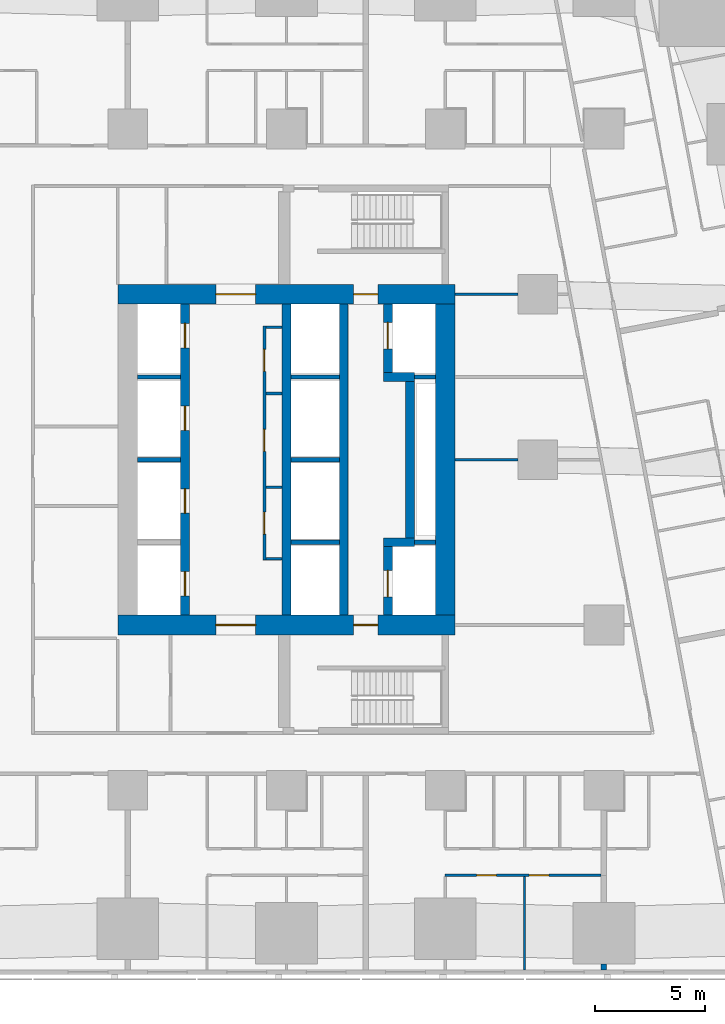
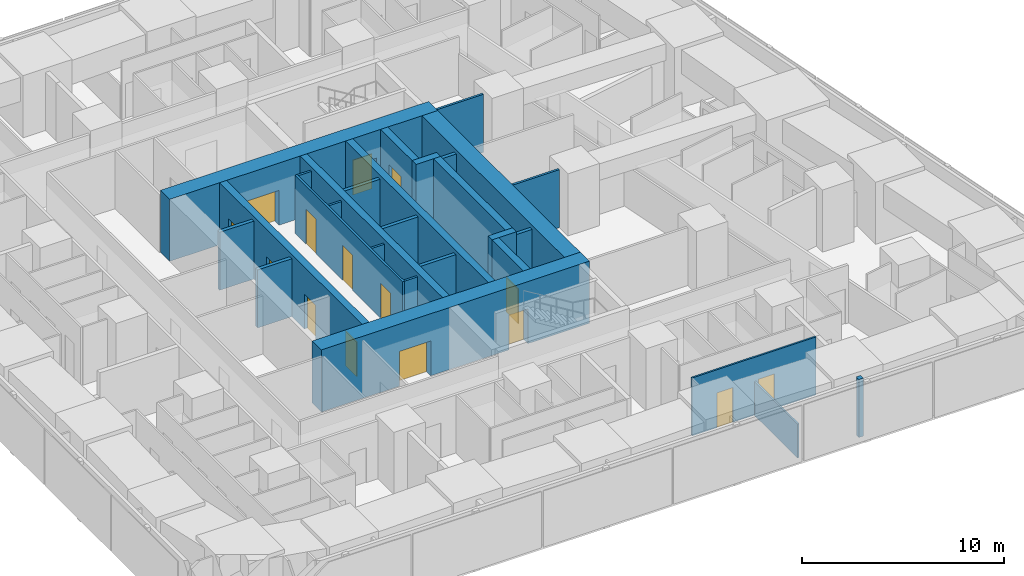
# One storey, part 8 of 18: 28 walls, 15 doors, 15 openings.
"""IFC4 building model written with IfcOpenShell, lengths in metres."""

from ifc_helpers import new_model, si_unit, direction, frame, frame_2d, origin, place, context, subcontext, project, spatial, rectangle, extrude, material, layer, layer_set, type_object, element, fill, save


model = new_model("IFC4")

# Units and contexts
model_context = context("Model", 3, precision=1e-05, world=origin(), true_north=direction((0.0, 1.0)))
body_context = subcontext(model_context, "Body", "Model", "MODEL_VIEW")
ifc_project = project(units=[si_unit("LENGTHUNIT", "METRE"), si_unit("AREAUNIT", "SQUARE_METRE"), si_unit("VOLUMEUNIT", "CUBIC_METRE"), si_unit("PLANEANGLEUNIT", "RADIAN"), si_unit("MASSUNIT", "GRAM", prefix="KILO")], contexts=[model_context])

# Site, building, storey
site_placement = place(None, origin())
site = spatial("IfcSite", under=ifc_project, at=site_placement, CompositionType="ELEMENT")
building_placement = place(site_placement, origin())
building = spatial("IfcBuilding", under=site, at=building_placement, Name="Sheger Commons Tower", CompositionType="ELEMENT")
storey_placement = place(building_placement, frame((0.0, 0.0, 35.0)))
storey = spatial("IfcBuildingStorey", under=building, at=storey_placement, Name="L08", CompositionType="ELEMENT", Elevation=35.0)

# Wall, openings, doors
ifc_material_1 = material(Name="Concrete C50/60", Category="concrete")
ifc_layer_1 = layer(ifc_material_1, 0.39990234375)
ifc_layer_set_1 = layer_set([ifc_layer_1], Name="CORE INNER WALL 400")
wall_type_1 = type_object("IfcWallType", Name="CORE INNER WALL 400", PredefinedType="SHEAR", material=ifc_layer_set_1)
wall_1_placement = place(storey_placement, frame((17.0, 15.449951171875, 0.0), z_axis=(0.0, 0.0, 1.0), x_axis=(0.0, 1.0, 0.0)))
wall_1 = element("IfcWall", 1, at=wall_1_placement, inside=storey, type_object=wall_type_1, Name="Core inner wall A L08", PredefinedType="SHEAR", context=body_context, shape_type="SweptSolid", body=[
    extrude(rectangle(XDim=14.10009765625, YDim=0.39990234375, at=frame_2d((7.050048828125, 0.0))), origin(), (0.0, 0.0, 1.0), 3.75),
])
opening_1_placement = place(wall_1_placement, frame((0.875, 0.0, 0.0)))
opening_1 = element("IfcOpeningElement", 2, at=opening_1_placement, cuts=wall_1, Name="Opening LD", PredefinedType="OPENING", context=body_context, shape_type="SweptSolid", body=[
    extrude(rectangle(XDim=1.10009765625, YDim=2.10009765625, at=frame_2d((0.550048828125, 1.050048828125))), frame((0.0, 0.2099609375, 0.0), z_axis=(0.0, -1.0, 0.0), x_axis=(1.0, 0.0, 0.0)), (0.0, 0.0, 1.0), 0.419921875),
])
opening_2_placement = place(wall_1_placement, frame((4.625, 0.0, 0.0)))
opening_2 = element("IfcOpeningElement", 3, at=opening_2_placement, cuts=wall_1, Name="Opening LD", PredefinedType="OPENING", context=body_context, shape_type="SweptSolid", body=[
    extrude(rectangle(XDim=1.10009765625, YDim=2.10009765625, at=frame_2d((0.550048828125, 1.050048828125))), frame((0.0, 0.2099609375, 0.0), z_axis=(0.0, -1.0, 0.0), x_axis=(1.0, 0.0, 0.0)), (0.0, 0.0, 1.0), 0.419921875),
])
opening_3_placement = place(wall_1_placement, frame((8.375, 0.0, 0.0)))
opening_3 = element("IfcOpeningElement", 4, at=opening_3_placement, cuts=wall_1, Name="Opening LD", PredefinedType="OPENING", context=body_context, shape_type="SweptSolid", body=[
    extrude(rectangle(XDim=1.10009765625, YDim=2.10009765625, at=frame_2d((0.550048828125, 1.050048828125))), frame((0.0, 0.2099609375, 0.0), z_axis=(0.0, -1.0, 0.0), x_axis=(1.0, 0.0, 0.0)), (0.0, 0.0, 1.0), 0.419921875),
])
opening_4_placement = place(wall_1_placement, frame((12.125, 0.0, 0.0)))
opening_4 = element("IfcOpeningElement", 5, at=opening_4_placement, cuts=wall_1, Name="Opening LD", PredefinedType="OPENING", context=body_context, shape_type="SweptSolid", body=[
    extrude(rectangle(XDim=1.10009765625, YDim=2.10009765625, at=frame_2d((0.550048828125, 1.050048828125))), frame((0.0, 0.2099609375, 0.0), z_axis=(0.0, -1.0, 0.0), x_axis=(1.0, 0.0, 0.0)), (0.0, 0.0, 1.0), 0.419921875),
])
ifc_material_2 = material(Name="Steel door set, fire rated", Category="steel")
door_type_1 = type_object("IfcDoorType", Name="LIFT LANDING DOOR 1100x2100", OperationType="DOUBLE_DOOR_SLIDING", PredefinedType="DOOR", material=ifc_material_2)
door_1_placement = place(opening_1_placement, origin())
door_1 = element("IfcDoor", 6, at=door_1_placement, inside=storey, type_object=door_type_1, Name="Lift LA1 landing door", OperationType="DOUBLE_DOOR_SLIDING", OverallHeight=2.10009765625, OverallWidth=1.10009765625, PredefinedType="DOOR", context=body_context, shape_type="SweptSolid", body=[
    extrude(rectangle(XDim=1.10009765625, YDim=2.10009765625, at=frame_2d((0.550048828125, 1.050048828125))), frame((0.0, 0.02490234375, 0.0), z_axis=(0.0, -1.0, 0.0), x_axis=(1.0, 0.0, 0.0)), (0.0, 0.0, 1.0), 0.050048828125),
])
fill(opening_1, door_1)
door_2_placement = place(opening_2_placement, origin())
door_2 = element("IfcDoor", 7, at=door_2_placement, inside=storey, type_object=door_type_1, Name="Lift LA2 landing door", OperationType="DOUBLE_DOOR_SLIDING", OverallHeight=2.10009765625, OverallWidth=1.10009765625, PredefinedType="DOOR", context=body_context, shape_type="SweptSolid", body=[
    extrude(rectangle(XDim=1.10009765625, YDim=2.10009765625, at=frame_2d((0.550048828125, 1.050048828125))), frame((0.0, 0.02490234375, 0.0), z_axis=(0.0, -1.0, 0.0), x_axis=(1.0, 0.0, 0.0)), (0.0, 0.0, 1.0), 0.050048828125),
])
fill(opening_2, door_2)
door_3_placement = place(opening_3_placement, origin())
door_3 = element("IfcDoor", 8, at=door_3_placement, inside=storey, type_object=door_type_1, Name="Lift LA3 landing door", OperationType="DOUBLE_DOOR_SLIDING", OverallHeight=2.10009765625, OverallWidth=1.10009765625, PredefinedType="DOOR", context=body_context, shape_type="SweptSolid", body=[
    extrude(rectangle(XDim=1.10009765625, YDim=2.10009765625, at=frame_2d((0.550048828125, 1.050048828125))), frame((0.0, 0.02490234375, 0.0), z_axis=(0.0, -1.0, 0.0), x_axis=(1.0, 0.0, 0.0)), (0.0, 0.0, 1.0), 0.050048828125),
])
fill(opening_3, door_3)
door_4_placement = place(opening_4_placement, origin())
door_4 = element("IfcDoor", 9, at=door_4_placement, inside=storey, type_object=door_type_1, Name="Lift LA4 landing door", OperationType="DOUBLE_DOOR_SLIDING", OverallHeight=2.10009765625, OverallWidth=1.10009765625, PredefinedType="DOOR", context=body_context, shape_type="SweptSolid", body=[
    extrude(rectangle(XDim=1.10009765625, YDim=2.10009765625, at=frame_2d((0.550048828125, 1.050048828125))), frame((0.0, 0.02490234375, 0.0), z_axis=(0.0, -1.0, 0.0), x_axis=(1.0, 0.0, 0.0)), (0.0, 0.0, 1.0), 0.050048828125),
])
fill(opening_4, door_4)

# Walls
for number, where, z_axis, x_axis, name in (
    (10, (21.60009765625, 15.449951171875, 0.0), (0.0, 0.0, 1.0), (0.0, 1.0, 0.0), "Core inner wall L L08"),
    (11, (24.199951171875, 15.449951171875, 0.0), (0.0, 0.0, 1.0), (0.0, 1.0, 0.0), "Core inner wall B L08"),
):
    element("IfcWall", number, at=place(storey_placement, frame(where, z_axis=z_axis, x_axis=x_axis)), inside=storey, type_object=wall_type_1, Name=name, PredefinedType="SHEAR", context=body_context, shape_type="SweptSolid", body=[
        extrude(rectangle(XDim=14.10009765625, YDim=0.39990234375, at=frame_2d((7.050048828125, 0.0))), origin(), (0.0, 0.0, 1.0), 3.75),
    ])

# Wall, opening, door
wall_2_placement = place(storey_placement, frame((26.199951171875, 15.449951171875, 0.0), z_axis=(0.0, 0.0, 1.0), x_axis=(0.0, 1.0, 0.0)))
wall_2 = element("IfcWall", 12, at=wall_2_placement, inside=storey, type_object=wall_type_1, Name="Core inner wall F L08", PredefinedType="SHEAR", context=body_context, shape_type="SweptSolid", body=[
    extrude(rectangle(XDim=3.10009765625, YDim=0.39990234375, at=frame_2d((1.550048828125, 0.0))), origin(), (0.0, 0.0, 1.0), 3.75),
])
opening_5_placement = place(wall_2_placement, frame((0.824951171875, 0.0, 0.0)))
opening_5 = element("IfcOpeningElement", 13, at=opening_5_placement, cuts=wall_2, Name="Opening LD2", PredefinedType="OPENING", context=body_context, shape_type="SweptSolid", body=[
    extrude(rectangle(XDim=1.199951171875, YDim=2.10009765625, at=frame_2d((0.60009765625, 1.050048828125))), frame((0.0, 0.2099609375, 0.0), z_axis=(0.0, -1.0, 0.0), x_axis=(1.0, 0.0, 0.0)), (0.0, 0.0, 1.0), 0.419921875),
])
ifc_material_3 = material(Name="Steel door set, fire rated", Category="steel")
door_type_2 = type_object("IfcDoorType", Name="FIREFIGHTING LIFT LANDING DOOR 1200x2100", OperationType="DOUBLE_DOOR_SLIDING", PredefinedType="DOOR", material=ifc_material_3)
door_5_placement = place(opening_5_placement, origin())
door_5 = element("IfcDoor", 14, at=door_5_placement, inside=storey, type_object=door_type_2, Name="Lift FL1 landing door", OperationType="DOUBLE_DOOR_SLIDING", OverallHeight=2.10009765625, OverallWidth=1.199951171875, PredefinedType="DOOR", context=body_context, shape_type="SweptSolid", body=[
    extrude(rectangle(XDim=1.199951171875, YDim=2.10009765625, at=frame_2d((0.60009765625, 1.050048828125))), frame((0.0, 0.02490234375, 0.0), z_axis=(0.0, -1.0, 0.0), x_axis=(1.0, 0.0, 0.0)), (0.0, 0.0, 1.0), 0.050048828125),
])
fill(opening_5, door_5)

# Walls
wall_3_placement = place(storey_placement, frame((26.0, 18.75, 0.0), z_axis=(0.0, 0.0, 1.0), x_axis=(1.0, 0.0, 0.0)))
element("IfcWall", 15, at=wall_3_placement, inside=storey, type_object=wall_type_1, Name="Core inner wall F south return L08", PredefinedType="SHEAR", context=body_context, shape_type="SweptSolid", body=[
    extrude(rectangle(XDim=1.39990234375, YDim=0.39990234375, at=frame_2d((0.699951171875, 0.0))), origin(), (0.0, 0.0, 1.0), 3.75),
])
wall_4_placement = place(storey_placement, frame((27.199951171875, 18.949951171875, 0.0), z_axis=(0.0, 0.0, 1.0), x_axis=(0.0, 1.0, 0.0)))
element("IfcWall", 16, at=wall_4_placement, inside=storey, type_object=wall_type_1, Name="Core inner wall F middle L08", PredefinedType="SHEAR", context=body_context, shape_type="SweptSolid", body=[
    extrude(rectangle(XDim=7.10009765625, YDim=0.39990234375, at=frame_2d((3.550048828125, 0.0))), origin(), (0.0, 0.0, 1.0), 3.75),
])
wall_5_placement = place(storey_placement, frame((26.0, 26.25, 0.0), z_axis=(0.0, 0.0, 1.0), x_axis=(1.0, 0.0, 0.0)))
element("IfcWall", 17, at=wall_5_placement, inside=storey, type_object=wall_type_1, Name="Core inner wall F north return L08", PredefinedType="SHEAR", context=body_context, shape_type="SweptSolid", body=[
    extrude(rectangle(XDim=1.39990234375, YDim=0.39990234375, at=frame_2d((0.699951171875, 0.0))), origin(), (0.0, 0.0, 1.0), 3.75),
])

# Wall, opening, door
wall_6_placement = place(storey_placement, frame((26.199951171875, 26.449951171875, 0.0), z_axis=(0.0, 0.0, 1.0), x_axis=(0.0, 1.0, 0.0)))
wall_6 = element("IfcWall", 18, at=wall_6_placement, inside=storey, type_object=wall_type_1, Name="Core inner wall F north L08", PredefinedType="SHEAR", context=body_context, shape_type="SweptSolid", body=[
    extrude(rectangle(XDim=3.10009765625, YDim=0.39990234375, at=frame_2d((1.550048828125, 0.0))), origin(), (0.0, 0.0, 1.0), 3.75),
])
opening_6_placement = place(wall_6_placement, frame((1.074951171875, 0.0, 0.0)))
opening_6 = element("IfcOpeningElement", 19, at=opening_6_placement, cuts=wall_6, Name="Opening LD2", PredefinedType="OPENING", context=body_context, shape_type="SweptSolid", body=[
    extrude(rectangle(XDim=1.199951171875, YDim=2.10009765625, at=frame_2d((0.60009765625, 1.050048828125))), frame((0.0, 0.2099609375, 0.0), z_axis=(0.0, -1.0, 0.0), x_axis=(1.0, 0.0, 0.0)), (0.0, 0.0, 1.0), 0.419921875),
])
door_6_placement = place(opening_6_placement, origin())
door_6 = element("IfcDoor", 20, at=door_6_placement, inside=storey, type_object=door_type_2, Name="Lift FL2 landing door", OperationType="DOUBLE_DOOR_SLIDING", OverallHeight=2.10009765625, OverallWidth=1.199951171875, PredefinedType="DOOR", context=body_context, shape_type="SweptSolid", body=[
    extrude(rectangle(XDim=1.199951171875, YDim=2.10009765625, at=frame_2d((0.60009765625, 1.050048828125))), frame((0.0, 0.02490234375, 0.0), z_axis=(0.0, -1.0, 0.0), x_axis=(1.0, 0.0, 0.0)), (0.0, 0.0, 1.0), 0.050048828125),
])
fill(opening_6, door_6)

# Wall, openings, doors
ifc_material_4 = material(Name="Concrete C50/60", Category="concrete")
ifc_layer_2 = layer(ifc_material_4, 0.89990234375)
ifc_layer_set_2 = layer_set([ifc_layer_2], Name="CORE WALL 900")
wall_type_2 = type_object("IfcWallType", Name="CORE WALL 900", PredefinedType="SHEAR", material=ifc_layer_set_2)
wall_7_placement = place(storey_placement, frame((13.949951171875, 15.0, 0.0), z_axis=(0.0, 0.0, 1.0), x_axis=(1.0, 0.0, 0.0)))
wall_7 = element("IfcWall", 21, at=wall_7_placement, inside=storey, type_object=wall_type_2, Name="Core wall south L08", PredefinedType="SHEAR", context=body_context, shape_type="SweptSolid", body=[
    extrude(rectangle(XDim=15.300048828125, YDim=0.89990234375, at=frame_2d((7.64990234375, 0.0))), origin(), (0.0, 0.0, 1.0), 3.75),
])
opening_7_placement = place(wall_7_placement, frame((4.449951171875, 0.0, 0.0)))
opening_7 = element("IfcOpeningElement", 22, at=opening_7_placement, cuts=wall_7, Name="Opening D6", PredefinedType="OPENING", context=body_context, shape_type="SweptSolid", body=[
    extrude(rectangle(XDim=1.800048828125, YDim=2.10009765625, at=frame_2d((0.89990234375, 1.050048828125))), frame((0.0, 0.4599609375, 0.0), z_axis=(0.0, -1.0, 0.0), x_axis=(1.0, 0.0, 0.0)), (0.0, 0.0, 1.0), 0.919921875),
])
opening_8_placement = place(wall_7_placement, frame((10.699951171875, 0.0, 0.0)))
opening_8 = element("IfcOpeningElement", 23, at=opening_8_placement, cuts=wall_7, Name="Opening D5", PredefinedType="OPENING", context=body_context, shape_type="SweptSolid", body=[
    extrude(rectangle(XDim=1.10009765625, YDim=2.10009765625, at=frame_2d((0.550048828125, 1.050048828125))), frame((0.0, 0.4599609375, 0.0), z_axis=(0.0, -1.0, 0.0), x_axis=(1.0, 0.0, 0.0)), (0.0, 0.0, 1.0), 0.919921875),
])
ifc_material_5 = material(Name="Steel door set, fire rated", Category="steel")
door_type_3 = type_object("IfcDoorType", Name="LOBBY DOUBLE DOOR 1800x2100", OperationType="DOUBLE_DOOR_SINGLE_SWING", PredefinedType="DOOR", material=ifc_material_5)
door_7_placement = place(opening_7_placement, origin())
door_7 = element("IfcDoor", 24, at=door_7_placement, inside=storey, type_object=door_type_3, Name="Lift lobby door", OperationType="DOUBLE_DOOR_SINGLE_SWING", OverallHeight=2.10009765625, OverallWidth=1.800048828125, PredefinedType="DOOR", context=body_context, shape_type="SweptSolid", body=[
    extrude(rectangle(XDim=1.800048828125, YDim=2.10009765625, at=frame_2d((0.89990234375, 1.050048828125))), frame((0.0, 0.02490234375, 0.0), z_axis=(0.0, -1.0, 0.0), x_axis=(1.0, 0.0, 0.0)), (0.0, 0.0, 1.0), 0.050048828125),
])
fill(opening_7, door_7)
ifc_material_6 = material(Name="Steel door set, fire rated", Category="steel")
door_type_4 = type_object("IfcDoorType", Name="STAIR DOOR 1100x2100", OperationType="NOTDEFINED", PredefinedType="DOOR", material=ifc_material_6)
door_8_placement = place(opening_8_placement, origin())
door_8 = element("IfcDoor", 25, at=door_8_placement, inside=storey, type_object=door_type_4, Name="Fire-fighting lobby door", OperationType="SINGLE_SWING_LEFT", OverallHeight=2.10009765625, OverallWidth=1.10009765625, PredefinedType="DOOR", context=body_context, shape_type="SweptSolid", body=[
    extrude(rectangle(XDim=1.10009765625, YDim=2.10009765625, at=frame_2d((0.550048828125, 1.050048828125))), frame((0.0, 0.02490234375, 0.0), z_axis=(0.0, -1.0, 0.0), x_axis=(1.0, 0.0, 0.0)), (0.0, 0.0, 1.0), 0.050048828125),
])
fill(opening_8, door_8)

wall_8_placement = place(storey_placement, frame((13.949951171875, 30.0, 0.0), z_axis=(0.0, 0.0, 1.0), x_axis=(1.0, 0.0, 0.0)))
wall_8 = element("IfcWall", 26, at=wall_8_placement, inside=storey, type_object=wall_type_2, Name="Core wall north L08", PredefinedType="SHEAR", context=body_context, shape_type="SweptSolid", body=[
    extrude(rectangle(XDim=15.300048828125, YDim=0.89990234375, at=frame_2d((7.64990234375, 0.0))), origin(), (0.0, 0.0, 1.0), 3.75),
])
opening_9_placement = place(wall_8_placement, frame((4.449951171875, 0.0, 0.0)))
opening_9 = element("IfcOpeningElement", 27, at=opening_9_placement, cuts=wall_8, Name="Opening D6", PredefinedType="OPENING", context=body_context, shape_type="SweptSolid", body=[
    extrude(rectangle(XDim=1.800048828125, YDim=2.10009765625, at=frame_2d((0.89990234375, 1.050048828125))), frame((0.0, 0.4599609375, 0.0), z_axis=(0.0, -1.0, 0.0), x_axis=(1.0, 0.0, 0.0)), (0.0, 0.0, 1.0), 0.919921875),
])
opening_10_placement = place(wall_8_placement, frame((10.699951171875, 0.0, 0.0)))
opening_10 = element("IfcOpeningElement", 28, at=opening_10_placement, cuts=wall_8, Name="Opening D5", PredefinedType="OPENING", context=body_context, shape_type="SweptSolid", body=[
    extrude(rectangle(XDim=1.10009765625, YDim=2.10009765625, at=frame_2d((0.550048828125, 1.050048828125))), frame((0.0, 0.4599609375, 0.0), z_axis=(0.0, -1.0, 0.0), x_axis=(1.0, 0.0, 0.0)), (0.0, 0.0, 1.0), 0.919921875),
])
door_9_placement = place(opening_9_placement, origin())
door_9 = element("IfcDoor", 29, at=door_9_placement, inside=storey, type_object=door_type_3, Name="Lift lobby door", OperationType="DOUBLE_DOOR_SINGLE_SWING", OverallHeight=2.10009765625, OverallWidth=1.800048828125, PredefinedType="DOOR", context=body_context, shape_type="SweptSolid", body=[
    extrude(rectangle(XDim=1.800048828125, YDim=2.10009765625, at=frame_2d((0.89990234375, 1.050048828125))), frame((0.0, 0.02490234375, 0.0), z_axis=(0.0, -1.0, 0.0), x_axis=(1.0, 0.0, 0.0)), (0.0, 0.0, 1.0), 0.050048828125),
])
fill(opening_9, door_9)
door_10_placement = place(opening_10_placement, origin())
door_10 = element("IfcDoor", 30, at=door_10_placement, inside=storey, type_object=door_type_4, Name="Fire-fighting lobby door", OperationType="SINGLE_SWING_LEFT", OverallHeight=2.10009765625, OverallWidth=1.10009765625, PredefinedType="DOOR", context=body_context, shape_type="SweptSolid", body=[
    extrude(rectangle(XDim=1.10009765625, YDim=2.10009765625, at=frame_2d((0.550048828125, 1.050048828125))), frame((0.0, 0.02490234375, 0.0), z_axis=(0.0, -1.0, 0.0), x_axis=(1.0, 0.0, 0.0)), (0.0, 0.0, 1.0), 0.050048828125),
])
fill(opening_10, door_10)

# Walls
wall_9_placement = place(storey_placement, frame((28.800048828125, 15.449951171875, 0.0), z_axis=(0.0, 0.0, 1.0), x_axis=(0.0, 1.0, 0.0)))
element("IfcWall", 31, at=wall_9_placement, inside=storey, type_object=wall_type_2, Name="Core wall east L08", PredefinedType="SHEAR", context=body_context, shape_type="SweptSolid", body=[
    extrude(rectangle(XDim=14.10009765625, YDim=0.89990234375, at=frame_2d((7.050048828125, 0.0))), origin(), (0.0, 0.0, 1.0), 3.75),
])
ifc_material_7 = material(Name="Dense concrete block masonry, plastered both sides (separating wall between flats)", Category="masonry")
ifc_layer_3 = layer(ifc_material_7, 0.25)
ifc_layer_set_3 = layer_set([ifc_layer_3], Name="DEMISING WALL 250")
wall_type_3 = type_object("IfcWallType", Name="DEMISING WALL 250", PredefinedType="SOLIDWALL", material=ifc_layer_set_3)
wall_10_placement = place(storey_placement, frame((36.0, -0.64990234375, 0.0), z_axis=(0.0, 0.0, 1.0), x_axis=(0.0, 1.0, 0.0)))
element("IfcWall", 32, at=wall_10_placement, inside=storey, type_object=wall_type_3, Name="Demising wall L08", PredefinedType="SOLIDWALL", context=body_context, shape_type="SweptSolid", body=[
    extrude(rectangle(XDim=0.27392578125, YDim=0.25, at=frame_2d((0.136962890625, 0.0))), origin(), (0.0, 0.0, 1.0), 3.5),
])

# Wall, openings, doors
ifc_material_8 = material(Name="Gypsum board on steel studs", Category="steel")
ifc_layer_4 = layer(ifc_material_8, 0.10009765625)
ifc_layer_set_4 = layer_set([ifc_layer_4], Name="PARTITION 100")
wall_type_4 = type_object("IfcWallType", Name="PARTITION 100", PredefinedType="PARTITIONING", material=ifc_layer_set_4)
wall_11_placement = place(storey_placement, frame((35.875, 3.64990234375, 0.0), z_axis=(0.0, 0.0, 1.0), x_axis=(-1.0, 0.0, 0.0)))
wall_11 = element("IfcWall", 33, at=wall_11_placement, inside=storey, type_object=wall_type_4, Name="Partition L08", PredefinedType="PARTITIONING", context=body_context, shape_type="SweptSolid", body=[
    extrude(rectangle(XDim=7.074951171875, YDim=0.10009765625, at=frame_2d((3.53759765625, 0.0))), origin(), (0.0, 0.0, 1.0), 3.5),
])
opening_11_placement = place(wall_11_placement, frame((4.75, 0.0, 0.0)))
opening_11 = element("IfcOpeningElement", 34, at=opening_11_placement, cuts=wall_11, Name="Opening D2", PredefinedType="OPENING", context=body_context, shape_type="SweptSolid", body=[
    extrude(rectangle(XDim=0.89990234375, YDim=2.10009765625, at=frame_2d((0.449951171875, 1.050048828125))), frame((0.0, 0.06005859375, 0.0), z_axis=(0.0, -1.0, 0.0), x_axis=(1.0, 0.0, 0.0)), (0.0, 0.0, 1.0), 0.1201171875),
])
opening_12_placement = place(wall_11_placement, frame((2.375, 0.0, 0.0)))
opening_12 = element("IfcOpeningElement", 35, at=opening_12_placement, cuts=wall_11, Name="Opening D2", PredefinedType="OPENING", context=body_context, shape_type="SweptSolid", body=[
    extrude(rectangle(XDim=0.89990234375, YDim=2.10009765625, at=frame_2d((0.449951171875, 1.050048828125))), frame((0.0, 0.06005859375, 0.0), z_axis=(0.0, -1.0, 0.0), x_axis=(1.0, 0.0, 0.0)), (0.0, 0.0, 1.0), 0.1201171875),
])
ifc_material_9 = material(Name="Timber door set", Category="wood")
door_type_5 = type_object("IfcDoorType", Name="INTERNAL DOOR 900x2100", OperationType="NOTDEFINED", PredefinedType="DOOR", material=ifc_material_9)
door_11_placement = place(opening_11_placement, origin())
door_11 = element("IfcDoor", 36, at=door_11_placement, inside=storey, type_object=door_type_5, Name="Main bedroom door", OperationType="SINGLE_SWING_RIGHT", OverallHeight=2.10009765625, OverallWidth=0.89990234375, PredefinedType="DOOR", context=body_context, shape_type="SweptSolid", body=[
    extrude(rectangle(XDim=0.89990234375, YDim=2.10009765625, at=frame_2d((0.449951171875, 1.050048828125))), frame((0.0, 0.02490234375, 0.0), z_axis=(0.0, -1.0, 0.0), x_axis=(1.0, 0.0, 0.0)), (0.0, 0.0, 1.0), 0.050048828125),
])
fill(opening_11, door_11)
door_12_placement = place(opening_12_placement, origin())
door_12 = element("IfcDoor", 37, at=door_12_placement, inside=storey, type_object=door_type_5, Name="Bedroom 2 door", OperationType="SINGLE_SWING_RIGHT", OverallHeight=2.10009765625, OverallWidth=0.89990234375, PredefinedType="DOOR", context=body_context, shape_type="SweptSolid", body=[
    extrude(rectangle(XDim=0.89990234375, YDim=2.10009765625, at=frame_2d((0.449951171875, 1.050048828125))), frame((0.0, 0.02490234375, 0.0), z_axis=(0.0, -1.0, 0.0), x_axis=(1.0, 0.0, 0.0)), (0.0, 0.0, 1.0), 0.050048828125),
])
fill(opening_12, door_12)

# Walls
wall_12_placement = place(storey_placement, frame((32.39990234375, -0.64990234375, 0.0), z_axis=(0.0, 0.0, 1.0), x_axis=(0.0, 1.0, 0.0)))
element("IfcWall", 38, at=wall_12_placement, inside=storey, type_object=wall_type_4, Name="Partition L08", PredefinedType="PARTITIONING", context=body_context, shape_type="SweptSolid", body=[
    extrude(rectangle(XDim=4.25, YDim=0.10009765625, at=frame_2d((2.125, 0.0))), origin(), (0.0, 0.0, 1.0), 2.050048828125),
])
ifc_material_10 = material(Name="Gypsum board on steel studs, two layers each side, fire rated", Category="steel")
ifc_layer_5 = layer(ifc_material_10, 0.125)
ifc_layer_set_5 = layer_set([ifc_layer_5], Name="SERVICE WALL 125")
wall_type_5 = type_object("IfcWallType", Name="SERVICE WALL 125", PredefinedType="PARTITIONING", material=ifc_layer_set_5)
for number, where, z_axis, x_axis, name in (
    (39, (29.25, 22.5, 0.0), (0.0, 0.0, 1.0), (1.0, 0.0, 0.0), "Service room wall L08"),
    (40, (29.25, 30.0, 0.0), (0.0, 0.0, 1.0), (1.0, 0.0, 0.0), "Service room wall L08"),
):
    element("IfcWall", number, at=place(storey_placement, frame(where, z_axis=z_axis, x_axis=x_axis)), inside=storey, type_object=wall_type_5, Name=name, PredefinedType="PARTITIONING", context=body_context, shape_type="SweptSolid", body=[
        extrude(rectangle(XDim=2.84912109375, YDim=0.125, at=frame_2d((1.424560546875, 0.0))), origin(), (0.0, 0.0, 1.0), 3.5),
    ])

# Wall, openings, doors
wall_13_placement = place(storey_placement, frame((20.60009765625, 17.93798828125, 0.0), z_axis=(0.0, 0.0, 1.0), x_axis=(0.0, 1.0, 0.0)))
wall_13 = element("IfcWall", 41, at=wall_13_placement, inside=storey, type_object=wall_type_5, Name="Service room wall L08", PredefinedType="PARTITIONING", context=body_context, shape_type="SweptSolid", body=[
    extrude(rectangle(XDim=10.6240234375, YDim=0.125, at=frame_2d((5.31201171875, 0.0))), origin(), (0.0, 0.0, 1.0), 3.5),
])
opening_13_placement = place(wall_13_placement, frame((1.18701171875, 0.0, 0.0)))
opening_13 = element("IfcOpeningElement", 42, at=opening_13_placement, cuts=wall_13, Name="Opening D4", PredefinedType="OPENING", context=body_context, shape_type="SweptSolid", body=[
    extrude(rectangle(XDim=1.0, YDim=2.10009765625, at=frame_2d((0.5, 1.050048828125))), frame((0.0, 0.072509765625, 0.0), z_axis=(0.0, -1.0, 0.0), x_axis=(1.0, 0.0, 0.0)), (0.0, 0.0, 1.0), 0.14501953125),
])
opening_14_placement = place(wall_13_placement, frame((4.93701171875, 0.0, 0.0)))
opening_14 = element("IfcOpeningElement", 43, at=opening_14_placement, cuts=wall_13, Name="Opening D4", PredefinedType="OPENING", context=body_context, shape_type="SweptSolid", body=[
    extrude(rectangle(XDim=1.0, YDim=2.10009765625, at=frame_2d((0.5, 1.050048828125))), frame((0.0, 0.072509765625, 0.0), z_axis=(0.0, -1.0, 0.0), x_axis=(1.0, 0.0, 0.0)), (0.0, 0.0, 1.0), 0.14501953125),
])
opening_15_placement = place(wall_13_placement, frame((8.56201171875, 0.0, 0.0)))
opening_15 = element("IfcOpeningElement", 44, at=opening_15_placement, cuts=wall_13, Name="Opening D4", PredefinedType="OPENING", context=body_context, shape_type="SweptSolid", body=[
    extrude(rectangle(XDim=1.0, YDim=2.10009765625, at=frame_2d((0.5, 1.050048828125))), frame((0.0, 0.072509765625, 0.0), z_axis=(0.0, -1.0, 0.0), x_axis=(1.0, 0.0, 0.0)), (0.0, 0.0, 1.0), 0.14501953125),
])
ifc_material_11 = material(Name="Steel door set, fire rated", Category="steel")
door_type_6 = type_object("IfcDoorType", Name="SERVICE DOOR 1000x2100", OperationType="NOTDEFINED", PredefinedType="DOOR", material=ifc_material_11)
door_13_placement = place(opening_13_placement, origin())
door_13 = element("IfcDoor", 45, at=door_13_placement, inside=storey, type_object=door_type_6, Name="Housekeeping cupboard door", OperationType="SINGLE_SWING_LEFT", OverallHeight=2.10009765625, OverallWidth=1.0, PredefinedType="DOOR", context=body_context, shape_type="SweptSolid", body=[
    extrude(rectangle(XDim=1.0, YDim=2.10009765625, at=frame_2d((0.5, 1.050048828125))), frame((0.0, 0.02490234375, 0.0), z_axis=(0.0, -1.0, 0.0), x_axis=(1.0, 0.0, 0.0)), (0.0, 0.0, 1.0), 0.050048828125),
])
fill(opening_13, door_13)
door_14_placement = place(opening_14_placement, origin())
door_14 = element("IfcDoor", 46, at=door_14_placement, inside=storey, type_object=door_type_6, Name="Water meter cupboard door", OperationType="SINGLE_SWING_RIGHT", OverallHeight=2.10009765625, OverallWidth=1.0, PredefinedType="DOOR", context=body_context, shape_type="SweptSolid", body=[
    extrude(rectangle(XDim=1.0, YDim=2.10009765625, at=frame_2d((0.5, 1.050048828125))), frame((0.0, 0.02490234375, 0.0), z_axis=(0.0, -1.0, 0.0), x_axis=(1.0, 0.0, 0.0)), (0.0, 0.0, 1.0), 0.050048828125),
])
fill(opening_14, door_14)
door_15_placement = place(opening_15_placement, origin())
door_15 = element("IfcDoor", 47, at=door_15_placement, inside=storey, type_object=door_type_6, Name="Linen cupboard door", OperationType="SINGLE_SWING_RIGHT", OverallHeight=2.10009765625, OverallWidth=1.0, PredefinedType="DOOR", context=body_context, shape_type="SweptSolid", body=[
    extrude(rectangle(XDim=1.0, YDim=2.10009765625, at=frame_2d((0.5, 1.050048828125))), frame((0.0, 0.02490234375, 0.0), z_axis=(0.0, -1.0, 0.0), x_axis=(1.0, 0.0, 0.0)), (0.0, 0.0, 1.0), 0.050048828125),
])
fill(opening_15, door_15)

# Walls
for number, where, z_axis, x_axis, name in (
    (48, (20.6630859375, 18.0, 0.0), (0.0, 0.0, 1.0), (1.0, 0.0, 0.0), "Service room wall L08"),
    (49, (20.6630859375, 28.5, 0.0), (0.0, 0.0, 1.0), (1.0, 0.0, 0.0), "Service room wall L08"),
    (50, (20.6630859375, 21.25, 0.0), (0.0, 0.0, 1.0), (1.0, 0.0, 0.0), "Service room wall L08"),
    (51, (20.6630859375, 25.5, 0.0), (0.0, 0.0, 1.0), (1.0, 0.0, 0.0), "Service room wall L08"),
):
    element("IfcWall", number, at=place(storey_placement, frame(where, z_axis=z_axis, x_axis=x_axis)), inside=storey, type_object=wall_type_5, Name=name, PredefinedType="PARTITIONING", context=body_context, shape_type="SweptSolid", body=[
        extrude(rectangle(XDim=0.73681640625, YDim=0.125, at=frame_2d((0.368408203125, 0.0))), origin(), (0.0, 0.0, 1.0), 3.5),
    ])
ifc_material_12 = material(Name="Hollow concrete block masonry", Category="masonry")
ifc_layer_6 = layer(ifc_material_12, 0.199951171875)
ifc_layer_set_6 = layer_set([ifc_layer_6], Name="SHAFT WALL 200")
wall_type_6 = type_object("IfcWallType", Name="SHAFT WALL 200", PredefinedType="SOLIDWALL", material=ifc_layer_set_6)
wall_14_placement = place(storey_placement, frame((21.800048828125, 18.75, 0.0), z_axis=(0.0, 0.0, 1.0), x_axis=(1.0, 0.0, 0.0)))
element("IfcWall", 52, at=wall_14_placement, inside=storey, type_object=wall_type_6, Name="Lift shaft wall L08", PredefinedType="SOLIDWALL", context=body_context, shape_type="SweptSolid", body=[
    extrude(rectangle(XDim=2.199951171875, YDim=0.199951171875, at=frame_2d((1.10009765625, 0.0))), origin(), (0.0, 0.0, 1.0), 3.5),
])
wall_15_placement = place(storey_placement, frame((14.85009765625, 22.5, 0.0), z_axis=(0.0, 0.0, 1.0), x_axis=(1.0, 0.0, 0.0)))
element("IfcWall", 53, at=wall_15_placement, inside=storey, type_object=wall_type_6, Name="Lift shaft wall L08", PredefinedType="SOLIDWALL", context=body_context, shape_type="SweptSolid", body=[
    extrude(rectangle(XDim=1.949951171875, YDim=0.199951171875, at=frame_2d((0.97509765625, 0.0))), origin(), (0.0, 0.0, 1.0), 3.5),
])
wall_16_placement = place(storey_placement, frame((21.800048828125, 22.5, 0.0), z_axis=(0.0, 0.0, 1.0), x_axis=(1.0, 0.0, 0.0)))
element("IfcWall", 54, at=wall_16_placement, inside=storey, type_object=wall_type_6, Name="Lift shaft wall L08", PredefinedType="SOLIDWALL", context=body_context, shape_type="SweptSolid", body=[
    extrude(rectangle(XDim=2.199951171875, YDim=0.199951171875, at=frame_2d((1.10009765625, 0.0))), origin(), (0.0, 0.0, 1.0), 3.5),
])
wall_17_placement = place(storey_placement, frame((14.85009765625, 26.25, 0.0), z_axis=(0.0, 0.0, 1.0), x_axis=(1.0, 0.0, 0.0)))
element("IfcWall", 55, at=wall_17_placement, inside=storey, type_object=wall_type_6, Name="Lift shaft wall L08", PredefinedType="SOLIDWALL", context=body_context, shape_type="SweptSolid", body=[
    extrude(rectangle(XDim=1.949951171875, YDim=0.199951171875, at=frame_2d((0.97509765625, 0.0))), origin(), (0.0, 0.0, 1.0), 3.5),
])
wall_18_placement = place(storey_placement, frame((21.800048828125, 26.25, 0.0), z_axis=(0.0, 0.0, 1.0), x_axis=(1.0, 0.0, 0.0)))
element("IfcWall", 56, at=wall_18_placement, inside=storey, type_object=wall_type_6, Name="Lift shaft wall L08", PredefinedType="SOLIDWALL", context=body_context, shape_type="SweptSolid", body=[
    extrude(rectangle(XDim=2.199951171875, YDim=0.199951171875, at=frame_2d((1.10009765625, 0.0))), origin(), (0.0, 0.0, 1.0), 3.5),
])
for number, where, z_axis, x_axis, name in (
    (57, (27.39990234375, 18.75, 0.0), (0.0, 0.0, 1.0), (1.0, 0.0, 0.0), "Lift shaft wall L08"),
    (58, (27.39990234375, 26.25, 0.0), (0.0, 0.0, 1.0), (1.0, 0.0, 0.0), "Lift shaft wall L08"),
):
    element("IfcWall", number, at=place(storey_placement, frame(where, z_axis=z_axis, x_axis=x_axis)), inside=storey, type_object=wall_type_6, Name=name, PredefinedType="SOLIDWALL", context=body_context, shape_type="SweptSolid", body=[
        extrude(rectangle(XDim=0.9501953125, YDim=0.199951171875, at=frame_2d((0.47509765625, 0.0))), origin(), (0.0, 0.0, 1.0), 3.5),
    ])

save(model, "model.ifc")
